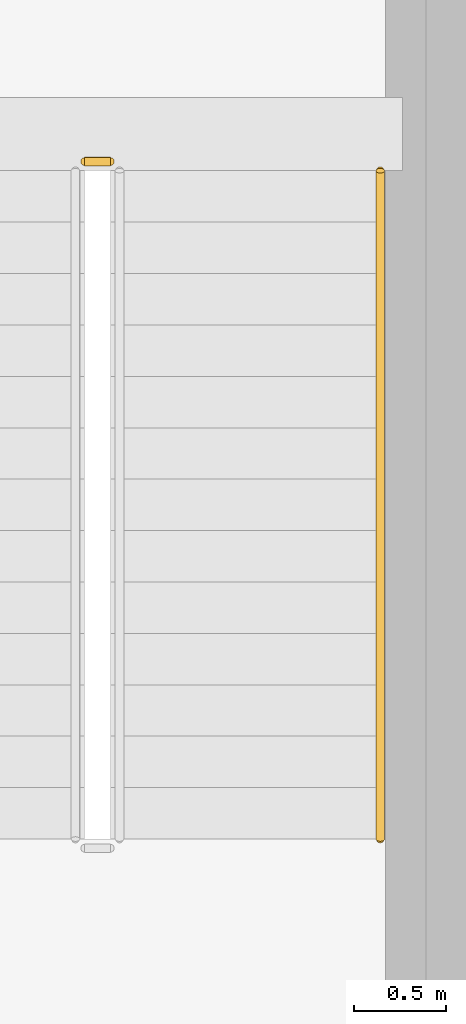
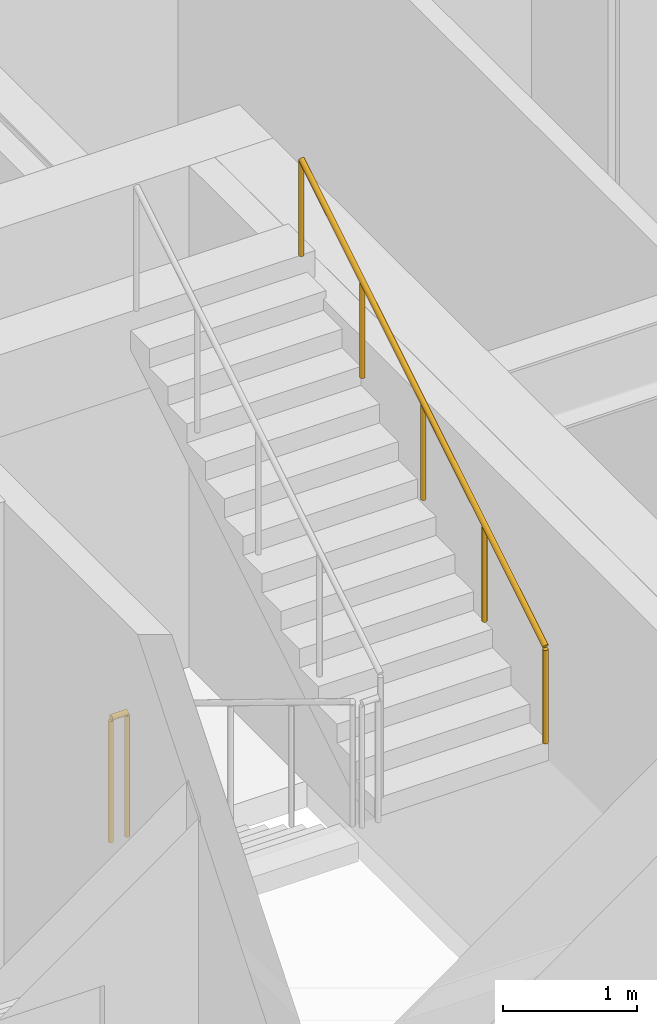
# One storey, part 11 of 11: 2 railings.
"""IFC4 building model written with IfcOpenShell, lengths in metres."""

from ifc_helpers import new_model, si_unit, direction, frame, origin, origin_2d, place, context, subcontext, project, spatial, circle, extrude, material, type_object, element, save


model = new_model("IFC4")

# Units and contexts
model_context = context("Model", 3, precision=1e-05, world=origin(), true_north=direction((0.0, 1.0)))
body_context = subcontext(model_context, "Body", "Model", "MODEL_VIEW")
ifc_project = project(units=[si_unit("LENGTHUNIT", "METRE"), si_unit("AREAUNIT", "SQUARE_METRE"), si_unit("VOLUMEUNIT", "CUBIC_METRE"), si_unit("PLANEANGLEUNIT", "RADIAN"), si_unit("MASSUNIT", "GRAM", prefix="KILO")], contexts=[model_context])

# Site, building, storey
site_placement = place(None, origin())
site = spatial("IfcSite", under=ifc_project, at=site_placement, CompositionType="ELEMENT")
building_placement = place(site_placement, origin())
building = spatial("IfcBuilding", under=site, at=building_placement, Name="Haolan Belvedere Tower", CompositionType="ELEMENT")
storey_placement = place(building_placement, frame((0.0, 0.0, 313.39990234375)))
storey = spatial("IfcBuildingStorey", under=building, at=storey_placement, Name="L79", CompositionType="ELEMENT", Elevation=313.39990234375)

# Railings
ifc_material = material(Name="Brushed stainless steel 304", Category="steel")
railing_type_1 = type_object("IfcRailingType", Name="RL-STAIR-GRD-1150", PredefinedType="GUARDRAIL", material=ifc_material)
railing_1_placement = place(storey_placement, frame((44.68994140625, 41.280029296875, 0.0)))
element("IfcRailing", 1, at=railing_1_placement, inside=storey, type_object=railing_type_1, Name="L79 ST2 stair guard 4", PredefinedType="GUARDRAIL", context=body_context, shape_type="SweptSolid", body=[
    extrude(circle(Radius=0.02392578125, at=origin_2d()), frame((0.0, 0.0, 1.1259765625), z_axis=(1.0, 0.0, 0.0), x_axis=(0.0, 1.0, 0.0)), (0.0, 0.0, 1.0), 0.14013671875),
    extrude(circle(Radius=0.02099609375, at=origin_2d()), origin(), (0.0, 0.0, 1.0), 1.101806640625),
    extrude(circle(Radius=0.02099609375, at=origin_2d()), frame((0.14013671875, 0.0, 0.0)), (0.0, 0.0, 1.0), 1.101806640625),
])
railing_type_2 = type_object("IfcRailingType", Name="RL-STAIR-HND-900", PredefinedType="HANDRAIL", material=ifc_material)
railing_2_placement = place(storey_placement, frame((46.300048828125, 37.590087890625, 2.571533203125)))
element("IfcRailing", 2, at=railing_2_placement, inside=storey, type_object=railing_type_2, Name="L79 ST2 stair handrail 2", PredefinedType="HANDRAIL", context=body_context, shape_type="SweptSolid", body=[
    extrude(circle(Radius=0.02392578125, at=origin_2d()), frame((0.0, 0.0, 0.8759765625), z_axis=(0.0, 0.852850264322, 0.5221555579), x_axis=(-1.0, 0.0, 0.0)), (0.0, 0.0, 1.0), 4.267822265625),
    extrude(circle(Radius=0.02099609375, at=origin_2d()), origin(), (0.0, 0.0, 1.0), 0.851806640625),
    extrude(circle(Radius=0.02099609375, at=origin_2d()), frame((0.0, 0.909912109375, 0.55712890625)), (0.0, 0.0, 1.0), 0.851806640625),
    extrude(circle(Radius=0.02099609375, at=origin_2d()), frame((0.0, 1.81982421875, 1.1142578125)), (0.0, 0.0, 1.0), 0.851806640625),
    extrude(circle(Radius=0.02099609375, at=origin_2d()), frame((0.0, 2.72998046875, 1.67138671875)), (0.0, 0.0, 1.0), 0.851806640625),
    extrude(circle(Radius=0.02099609375, at=origin_2d()), frame((0.0, 3.639892578125, 2.228515625)), (0.0, 0.0, 1.0), 0.851806640625),
])

save(model, "model.ifc")
